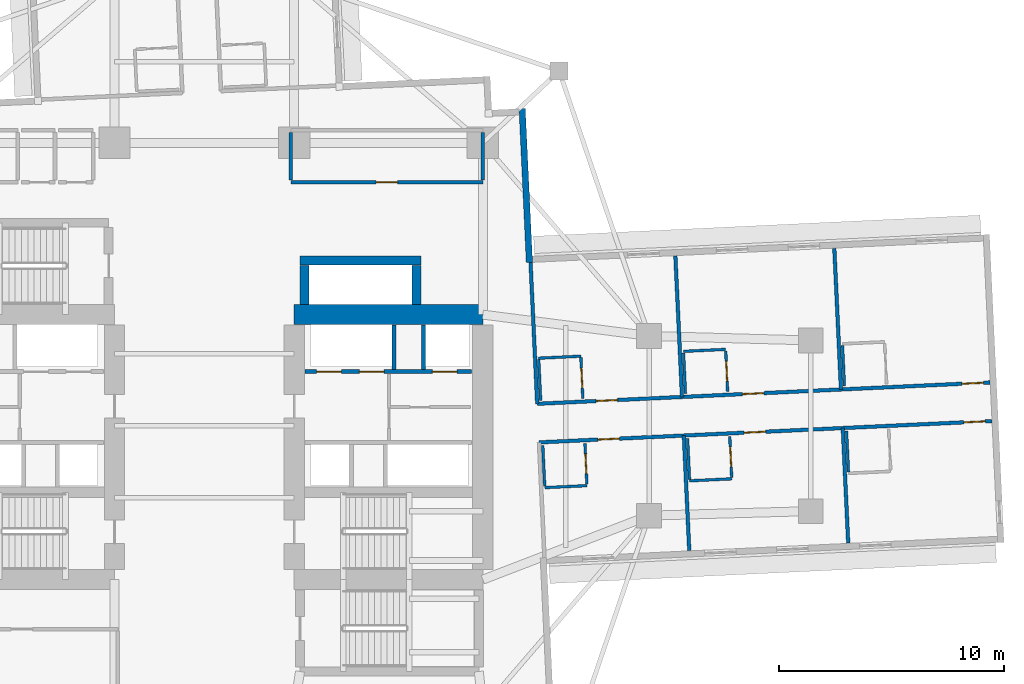
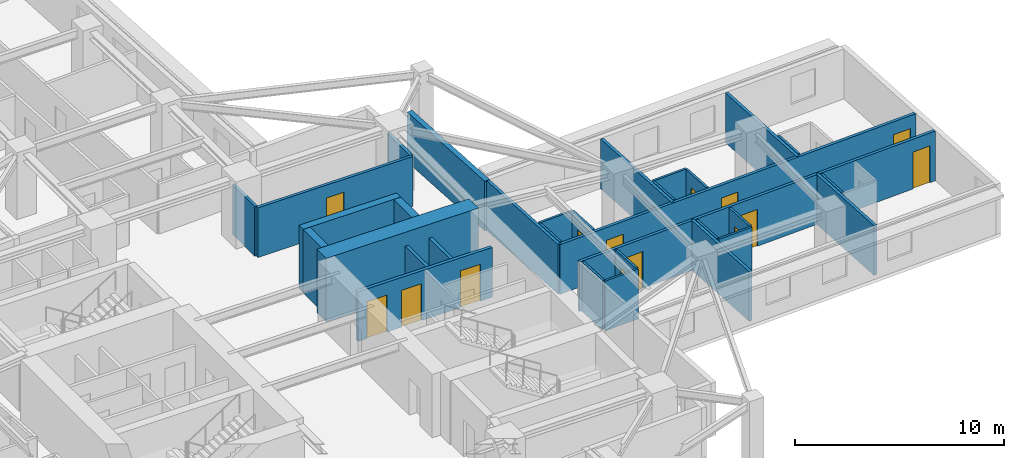
# One storey, part 7 of 14: 32 walls, 14 doors, 14 openings.
"""IFC4 building model written with IfcOpenShell, lengths in metres."""

from ifc_helpers import new_model, si_unit, direction, frame, frame_2d, origin, place, context, subcontext, project, spatial, rectangle, extrude, material, layer, layer_set, type_object, element, fill, save


model = new_model("IFC4")

# Units and contexts
model_context = context("Model", 3, precision=1e-05, world=origin(), true_north=direction((0.0, 1.0)))
body_context = subcontext(model_context, "Body", "Model", "MODEL_VIEW")
ifc_project = project(units=[si_unit("LENGTHUNIT", "METRE"), si_unit("AREAUNIT", "SQUARE_METRE"), si_unit("VOLUMEUNIT", "CUBIC_METRE"), si_unit("PLANEANGLEUNIT", "RADIAN"), si_unit("MASSUNIT", "GRAM", prefix="KILO")], contexts=[model_context])

# Site, building, storey
site_placement = place(None, origin())
site = spatial("IfcSite", under=ifc_project, at=site_placement, CompositionType="ELEMENT")
building_placement = place(site_placement, origin())
building = spatial("IfcBuilding", under=site, at=building_placement, Name="Qingluan Cross Belvedere", CompositionType="ELEMENT")
storey_placement = place(building_placement, frame((0.0, 0.0, 52.199951171875)))
storey = spatial("IfcBuildingStorey", under=building, at=storey_placement, Name="L13", CompositionType="ELEMENT", Elevation=52.199951171875)

# Walls
ifc_material_1 = material(Name="Concrete C50", Category="concrete")
ifc_layer_1 = layer(ifc_material_1, 0.449951171875, Name="CoreShearWall_450")
ifc_layer_set_1 = layer_set([ifc_layer_1], Name="Concrete C50")
wall_type_1 = type_object("IfcWallType", Name="CoreShearWall_450", PredefinedType="SHEAR", material=ifc_layer_set_1)
wall_1_placement = place(storey_placement, frame((4.449951171875, 5.405029296875, 0.0), z_axis=(0.0, 0.0, 1.0), x_axis=(0.0, 1.0, 0.0)))
element("IfcWall", 1, at=wall_1_placement, inside=storey, type_object=wall_type_1, Name="Express shuttle core wall L13-W", PredefinedType="SHEAR", context=body_context, shape_type="SweptSolid", body=[
    extrude(rectangle(XDim=1.73486328125, YDim=0.39990234375, at=frame_2d((0.867431640625, 0.0))), origin(), (0.0, 0.0, 1.0), 3.699951171875),
])
wall_2_placement = place(storey_placement, frame((4.25, 7.35009765625, 0.0), z_axis=(0.0, 0.0, 1.0), x_axis=(1.0, 0.0, 0.0)))
element("IfcWall", 2, at=wall_2_placement, inside=storey, type_object=wall_type_1, Name="Express shuttle core wall L13-N", PredefinedType="SHEAR", context=body_context, shape_type="SweptSolid", body=[
    extrude(rectangle(XDim=5.39990234375, YDim=0.39990234375, at=frame_2d((2.699951171875, 0.0))), origin(), (0.0, 0.0, 1.0), 3.699951171875),
])
wall_3_placement = place(storey_placement, frame((9.449951171875, 5.405029296875, 0.0), z_axis=(0.0, 0.0, 1.0), x_axis=(0.0, 1.0, 0.0)))
element("IfcWall", 3, at=wall_3_placement, inside=storey, type_object=wall_type_1, Name="Express shuttle core wall L13-E", PredefinedType="SHEAR", context=body_context, shape_type="SweptSolid", body=[
    extrude(rectangle(XDim=1.73486328125, YDim=0.39990234375, at=frame_2d((0.867431640625, 0.0))), origin(), (0.0, 0.0, 1.0), 3.699951171875),
])
ifc_material_2 = material(Name="Concrete C70", Category="concrete")
ifc_layer_2 = layer(ifc_material_2, 0.89990234375, Name="CoreShearWall_900")
ifc_layer_set_2 = layer_set([ifc_layer_2], Name="Concrete C70")
wall_type_2 = type_object("IfcWallType", Name="CoreShearWall_900", PredefinedType="SHEAR", material=ifc_layer_set_2)
wall_4_placement = place(storey_placement, frame((4.0, 4.949951171875, 0.0), z_axis=(0.0, 0.0, 1.0), x_axis=(1.0, 0.0, 0.0)))
element("IfcWall", 4, at=wall_4_placement, inside=storey, type_object=wall_type_2, Name="Split core E shear wall L13-N", PredefinedType="SHEAR", context=body_context, shape_type="SweptSolid", body=[
    extrude(rectangle(XDim=8.39990234375, YDim=0.89990234375, at=frame_2d((4.199951171875, 0.0))), origin(), (0.0, 0.0, 1.0), 3.699951171875),
])

# Wall, opening, door
ifc_material_3 = material(Name="Gypsum plasterboard on steel stud acoustic partition", Category="steel")
ifc_layer_3 = layer(ifc_material_3, 0.159912109375, Name="CorridorPartition_160")
ifc_layer_set_3 = layer_set([ifc_layer_3], Name="Gypsum plasterboard on steel stud acoustic partition")
wall_type_3 = type_object("IfcWallType", Name="CorridorPartition_160", PredefinedType="PARTITIONING", material=ifc_layer_set_3)
wall_5_placement = place(storey_placement, frame((3.85009765625, 10.85009765625, 0.0), z_axis=(0.0, 0.0, 1.0), x_axis=(1.0, 0.0, 0.0)))
wall_5 = element("IfcWall", 5, at=wall_5_placement, inside=storey, type_object=wall_type_3, Name="Partition L13:q_ne:S", PredefinedType="PARTITIONING", context=body_context, shape_type="SweptSolid", body=[
    extrude(rectangle(XDim=8.5498046875, YDim=0.159912109375, at=frame_2d((4.27490234375, 0.0))), origin(), (0.0, 0.0, 1.0), 2.900146484375),
])
opening_1_placement = place(wall_5_placement, frame((3.794921875, 0.0, 0.0)))
opening_1 = element("IfcOpeningElement", 6, at=opening_1_placement, cuts=wall_5, Name="Opening GD-10", PredefinedType="OPENING", context=body_context, shape_type="SweptSolid", body=[
    extrude(rectangle(XDim=0.9599609375, YDim=2.14990234375, at=frame_2d((0.47998046875, 1.074951171875))), frame((0.0, 0.08984375, 0.0), z_axis=(0.0, -1.0, 0.0), x_axis=(1.0, 0.0, 0.0)), (0.0, 0.0, 1.0), 0.179931640625),
])
ifc_material_4 = material(Name="Timber oak fire-rated acoustic guestroom door", Category="wood")
door_type_1 = type_object("IfcDoorType", Name="GuestEntryDoor_FD60", OperationType="NOTDEFINED", PredefinedType="DOOR", material=ifc_material_4)
door_1_placement = place(opening_1_placement, origin())
door_1 = element("IfcDoor", 7, at=door_1_placement, inside=storey, type_object=door_type_1, Name="Wellness yoga studio L13 door", OperationType="SINGLE_SWING_LEFT", OverallHeight=2.14990234375, OverallWidth=0.9599609375, PredefinedType="DOOR", context=body_context, shape_type="SweptSolid", body=[
    extrude(rectangle(XDim=0.9599609375, YDim=2.14990234375, at=frame_2d((0.47998046875, 1.074951171875))), frame((0.0, 0.02490234375, 0.0), z_axis=(0.0, -1.0, 0.0), x_axis=(1.0, 0.0, 0.0)), (0.0, 0.0, 1.0), 0.050048828125),
])
fill(opening_1, door_1)

# Walls
for number, where, z_axis, x_axis, name in (
    (8, (3.85009765625, 10.93505859375, 0.0), (0.0, 0.0, 1.0), (0.0, 1.0, 0.0), "Partition L13:q_ne:W"),
    (9, (12.39990234375, 10.93505859375, 0.0), (0.0, 0.0, 1.0), (0.0, 1.0, 0.0), "Partition L13:q_ne:E"),
):
    element("IfcWall", number, at=place(storey_placement, frame(where, z_axis=z_axis, x_axis=x_axis)), inside=storey, type_object=wall_type_3, Name=name, PredefinedType="PARTITIONING", context=body_context, shape_type="SweptSolid", body=[
        extrude(rectangle(XDim=2.1298828125, YDim=0.159912109375, at=frame_2d((1.06494140625, 0.0))), origin(), (0.0, 0.0, 1.0), 2.900146484375),
    ])

# Wall, openings, doors
wall_6_placement = place(storey_placement, frame((14.8203125, 0.979248046875, 0.0), z_axis=(0.0, 0.0, 1.0), x_axis=(0.998889926753, 0.047105352469, 0.0)))
wall_6 = element("IfcWall", 10, at=wall_6_placement, inside=storey, type_object=wall_type_3, Name="Partition L13:E:c0", PredefinedType="PARTITIONING", context=body_context, shape_type="SweptSolid", body=[
    extrude(rectangle(XDim=20.18212890625, YDim=0.159912109375, at=frame_2d((10.091064453125, 0.0))), origin(), (0.0, 0.0, 1.0), 2.900146484375),
])
opening_2_placement = place(wall_6_placement, frame((2.6259765625, 0.0, 0.0)))
opening_2 = element("IfcOpeningElement", 11, at=opening_2_placement, cuts=wall_6, Name="Opening GD-10", PredefinedType="OPENING", context=body_context, shape_type="SweptSolid", body=[
    extrude(rectangle(XDim=0.9599609375, YDim=2.14990234375, at=frame_2d((0.47998046875, 1.074951171875))), frame((0.0, 0.08984375, 0.0), z_axis=(0.0, -1.0, 0.0), x_axis=(1.0, 0.0, 0.0)), (0.0, 0.0, 1.0), 0.179931640625),
])
opening_3_placement = place(wall_6_placement, frame((9.14306640625, 0.0, 0.0)))
opening_3 = element("IfcOpeningElement", 12, at=opening_3_placement, cuts=wall_6, Name="Opening GD-10", PredefinedType="OPENING", context=body_context, shape_type="SweptSolid", body=[
    extrude(rectangle(XDim=0.9599609375, YDim=2.14990234375, at=frame_2d((0.47998046875, 1.074951171875))), frame((0.0, 0.08984375, 0.0), z_axis=(0.0, -1.0, 0.0), x_axis=(1.0, 0.0, 0.0)), (0.0, 0.0, 1.0), 0.179931640625),
])
opening_4_placement = place(wall_6_placement, frame((18.929931640625, 0.0, 0.0)))
opening_4 = element("IfcOpeningElement", 13, at=opening_4_placement, cuts=wall_6, Name="Opening GD-10", PredefinedType="OPENING", context=body_context, shape_type="SweptSolid", body=[
    extrude(rectangle(XDim=0.9599609375, YDim=2.14990234375, at=frame_2d((0.47998046875, 1.074951171875))), frame((0.0, 0.08984375, 0.0), z_axis=(0.0, -1.0, 0.0), x_axis=(1.0, 0.0, 0.0)), (0.0, 0.0, 1.0), 0.179931640625),
])
door_2_placement = place(opening_2_placement, origin())
door_2 = element("IfcDoor", 14, at=door_2_placement, inside=storey, type_object=door_type_1, Name="Guest entry fire door 1301", OperationType="SINGLE_SWING_LEFT", OverallHeight=2.14990234375, OverallWidth=0.9599609375, PredefinedType="DOOR", context=body_context, shape_type="SweptSolid", body=[
    extrude(rectangle(XDim=0.9599609375, YDim=2.14990234375, at=frame_2d((0.47998046875, 1.074951171875))), frame((0.0, 0.02490234375, 0.0), z_axis=(0.0, -1.0, 0.0), x_axis=(1.0, 0.0, 0.0)), (0.0, 0.0, 1.0), 0.050048828125),
])
fill(opening_2, door_2)
door_3_placement = place(opening_3_placement, origin())
door_3 = element("IfcDoor", 15, at=door_3_placement, inside=storey, type_object=door_type_1, Name="Guest entry fire door 1302", OperationType="SINGLE_SWING_LEFT", OverallHeight=2.14990234375, OverallWidth=0.9599609375, PredefinedType="DOOR", context=body_context, shape_type="SweptSolid", body=[
    extrude(rectangle(XDim=0.9599609375, YDim=2.14990234375, at=frame_2d((0.47998046875, 1.074951171875))), frame((0.0, 0.02490234375, 0.0), z_axis=(0.0, -1.0, 0.0), x_axis=(1.0, 0.0, 0.0)), (0.0, 0.0, 1.0), 0.050048828125),
])
fill(opening_3, door_3)
door_4_placement = place(opening_4_placement, origin())
door_4 = element("IfcDoor", 16, at=door_4_placement, inside=storey, type_object=door_type_1, Name="Guest entry fire door 1303", OperationType="SINGLE_SWING_LEFT", OverallHeight=2.14990234375, OverallWidth=0.9599609375, PredefinedType="DOOR", context=body_context, shape_type="SweptSolid", body=[
    extrude(rectangle(XDim=0.9599609375, YDim=2.14990234375, at=frame_2d((0.47998046875, 1.074951171875))), frame((0.0, 0.02490234375, 0.0), z_axis=(0.0, -1.0, 0.0), x_axis=(1.0, 0.0, 0.0)), (0.0, 0.0, 1.0), 0.050048828125),
])
fill(opening_4, door_4)

# Walls
for number, where, z_axis, x_axis, name in (
    (17, (14.8203125, 0.979248046875, 0.0), (0.0, 0.0, 1.0), (-0.047104274115, 0.998889977605, 0.0), "Partition L13:E:s0"),
    (18, (21.268310546875, 1.283203125, 0.0), (0.0, 0.0, 1.0), (-0.047142988802, 0.9988881512, 0.0), "Partition L13:E:d0_0"),
    (19, (28.34521484375, 1.616943359375, 0.0), (0.0, 0.0, 1.0), (-0.047104274115, 0.998889977605, 0.0), "Partition L13:E:d0_1"),
):
    element("IfcWall", number, at=place(storey_placement, frame(where, z_axis=z_axis, x_axis=x_axis)), inside=storey, type_object=wall_type_3, Name=name, PredefinedType="PARTITIONING", context=body_context, shape_type="SweptSolid", body=[
        extrude(rectangle(XDim=6.292236328125, YDim=0.159912109375, at=frame_2d((3.14599609375, 0.0))), origin(), (0.0, 0.0, 1.0), 2.900146484375),
    ])

# Wall, openings, doors
wall_7_placement = place(storey_placement, frame((14.9013671875, -0.739013671875, 0.0), z_axis=(0.0, 0.0, 1.0), x_axis=(0.998889330628, 0.047117991871, 0.0)))
wall_7 = element("IfcWall", 20, at=wall_7_placement, inside=storey, type_object=wall_type_3, Name="Partition L13:E:c1", PredefinedType="PARTITIONING", context=body_context, shape_type="SweptSolid", body=[
    extrude(rectangle(XDim=20.181884765625, YDim=0.159912109375, at=frame_2d((10.0908203125, 0.0))), origin(), (0.0, 0.0, 1.0), 2.900146484375),
])
opening_5_placement = place(wall_7_placement, frame((2.6259765625, 0.0, 0.0)))
opening_5 = element("IfcOpeningElement", 21, at=opening_5_placement, cuts=wall_7, Name="Opening GD-10", PredefinedType="OPENING", context=body_context, shape_type="SweptSolid", body=[
    extrude(rectangle(XDim=0.9599609375, YDim=2.14990234375, at=frame_2d((0.47998046875, 1.074951171875))), frame((0.0, 0.08984375, 0.0), z_axis=(0.0, -1.0, 0.0), x_axis=(1.0, 0.0, 0.0)), (0.0, 0.0, 1.0), 0.179931640625),
])
opening_6_placement = place(wall_7_placement, frame((9.14306640625, 0.0, 0.0)))
opening_6 = element("IfcOpeningElement", 22, at=opening_6_placement, cuts=wall_7, Name="Opening GD-10", PredefinedType="OPENING", context=body_context, shape_type="SweptSolid", body=[
    extrude(rectangle(XDim=0.9599609375, YDim=2.14990234375, at=frame_2d((0.47998046875, 1.074951171875))), frame((0.0, 0.08984375, 0.0), z_axis=(0.0, -1.0, 0.0), x_axis=(1.0, 0.0, 0.0)), (0.0, 0.0, 1.0), 0.179931640625),
])
opening_7_placement = place(wall_7_placement, frame((18.929931640625, 0.0, 0.0)))
opening_7 = element("IfcOpeningElement", 23, at=opening_7_placement, cuts=wall_7, Name="Opening GD-10", PredefinedType="OPENING", context=body_context, shape_type="SweptSolid", body=[
    extrude(rectangle(XDim=0.9599609375, YDim=2.14990234375, at=frame_2d((0.47998046875, 1.074951171875))), frame((0.0, 0.08984375, 0.0), z_axis=(0.0, -1.0, 0.0), x_axis=(1.0, 0.0, 0.0)), (0.0, 0.0, 1.0), 0.179931640625),
])
door_5_placement = place(opening_5_placement, origin())
door_5 = element("IfcDoor", 24, at=door_5_placement, inside=storey, type_object=door_type_1, Name="Guest entry fire door 1304", OperationType="SINGLE_SWING_LEFT", OverallHeight=2.14990234375, OverallWidth=0.9599609375, PredefinedType="DOOR", context=body_context, shape_type="SweptSolid", body=[
    extrude(rectangle(XDim=0.9599609375, YDim=2.14990234375, at=frame_2d((0.47998046875, 1.074951171875))), frame((0.0, 0.02490234375, 0.0), z_axis=(0.0, -1.0, 0.0), x_axis=(1.0, 0.0, 0.0)), (0.0, 0.0, 1.0), 0.050048828125),
])
fill(opening_5, door_5)
door_6_placement = place(opening_6_placement, origin())
door_6 = element("IfcDoor", 25, at=door_6_placement, inside=storey, type_object=door_type_1, Name="Guest entry fire door 1305", OperationType="SINGLE_SWING_LEFT", OverallHeight=2.14990234375, OverallWidth=0.9599609375, PredefinedType="DOOR", context=body_context, shape_type="SweptSolid", body=[
    extrude(rectangle(XDim=0.9599609375, YDim=2.14990234375, at=frame_2d((0.47998046875, 1.074951171875))), frame((0.0, 0.02490234375, 0.0), z_axis=(0.0, -1.0, 0.0), x_axis=(1.0, 0.0, 0.0)), (0.0, 0.0, 1.0), 0.050048828125),
])
fill(opening_6, door_6)
door_7_placement = place(opening_7_placement, origin())
door_7 = element("IfcDoor", 26, at=door_7_placement, inside=storey, type_object=door_type_1, Name="Guest entry fire door 1306", OperationType="SINGLE_SWING_LEFT", OverallHeight=2.14990234375, OverallWidth=0.9599609375, PredefinedType="DOOR", context=body_context, shape_type="SweptSolid", body=[
    extrude(rectangle(XDim=0.9599609375, YDim=2.14990234375, at=frame_2d((0.47998046875, 1.074951171875))), frame((0.0, 0.02490234375, 0.0), z_axis=(0.0, -1.0, 0.0), x_axis=(1.0, 0.0, 0.0)), (0.0, 0.0, 1.0), 0.050048828125),
])
fill(opening_7, door_7)

# Walls
for number, where, z_axis, x_axis, name in (
    (27, (21.34912109375, -0.434814453125, 0.0), (0.0, 0.0, 1.0), (0.047097271264, -0.998890307811, 0.0), "Partition L13:E:d1_0"),
    (28, (28.42626953125, -0.10107421875, 0.0), (0.0, 0.0, 1.0), (0.047097271264, -0.998890307811, 0.0), "Partition L13:E:d1_1"),
):
    element("IfcWall", number, at=place(storey_placement, frame(where, z_axis=z_axis, x_axis=x_axis)), inside=storey, type_object=wall_type_3, Name=name, PredefinedType="PARTITIONING", context=body_context, shape_type="SweptSolid", body=[
        extrude(rectangle(XDim=5.1318359375, YDim=0.159912109375, at=frame_2d((2.56591796875, 0.0))), origin(), (0.0, 0.0, 1.0), 2.900146484375),
    ])

# Wall, opening, door
ifc_material_5 = material(Name="Moisture-resistant gypsum board lining")
ifc_layer_4 = layer(ifc_material_5, 0.1201171875, Name="EnsuiteWetPartition_120")
ifc_layer_set_4 = layer_set([ifc_layer_4], Name="Moisture-resistant gypsum board lining")
wall_type_4 = type_object("IfcWallType", Name="EnsuiteWetPartition_120", PredefinedType="PARTITIONING", material=ifc_layer_set_4)
wall_8_placement = place(storey_placement, frame((16.8515625, 1.215087890625, 0.0), z_axis=(0.0, 0.0, 1.0), x_axis=(-0.047214641863, 0.998884766924, 0.0)))
wall_8 = element("IfcWall", 29, at=wall_8_placement, inside=storey, type_object=wall_type_4, Name="Partition L13:E:bs0_0", PredefinedType="PARTITIONING", context=body_context, shape_type="SweptSolid", body=[
    extrude(rectangle(XDim=1.820068359375, YDim=0.1201171875, at=frame_2d((0.91015625, 0.0))), origin(), (0.0, 0.0, 1.0), 2.900146484375),
])
opening_8_placement = place(wall_8_placement, frame((0.469970703125, 0.0, 0.0)))
opening_8 = element("IfcOpeningElement", 30, at=opening_8_placement, cuts=wall_8, Name="Opening BD-09", PredefinedType="OPENING", context=body_context, shape_type="SweptSolid", body=[
    extrude(rectangle(XDim=0.8798828125, YDim=2.10009765625, at=frame_2d((0.43994140625, 1.050048828125))), frame((0.0, 0.070068359375, 0.0), z_axis=(0.0, -1.0, 0.0), x_axis=(1.0, 0.0, 0.0)), (0.0, 0.0, 1.0), 0.14013671875),
])
ifc_material_6 = material(Name="Moisture-sealed timber en-suite door", Category="wood")
door_type_2 = type_object("IfcDoorType", Name="BathroomDoor_880", OperationType="NOTDEFINED", PredefinedType="DOOR", material=ifc_material_6)
door_8_placement = place(opening_8_placement, origin())
door_8 = element("IfcDoor", 31, at=door_8_placement, inside=storey, type_object=door_type_2, Name="Bathroom door 1301", OperationType="SINGLE_SWING_RIGHT", OverallHeight=2.10009765625, OverallWidth=0.8798828125, PredefinedType="DOOR", context=body_context, shape_type="SweptSolid", body=[
    extrude(rectangle(XDim=0.8798828125, YDim=2.10009765625, at=frame_2d((0.43994140625, 1.050048828125))), frame((0.0, 0.02490234375, 0.0), z_axis=(0.0, -1.0, 0.0), x_axis=(1.0, 0.0, 0.0)), (0.0, 0.0, 1.0), 0.050048828125),
])
fill(opening_8, door_8)

# Walls
wall_9_placement = place(storey_placement, frame((14.9736328125, 1.126708984375, 0.0), z_axis=(0.0, 0.0, 1.0), x_axis=(-0.047220968666, 0.998884467853, 0.0)))
element("IfcWall", 32, at=wall_9_placement, inside=storey, type_object=wall_type_4, Name="Partition L13:E:bw0_0", PredefinedType="PARTITIONING", context=body_context, shape_type="SweptSolid", body=[
    extrude(rectangle(XDim=1.81982421875, YDim=0.1201171875, at=frame_2d((0.909912109375, 0.0))), origin(), (0.0, 0.0, 1.0), 2.900146484375),
])
wall_10_placement = place(storey_placement, frame((14.884765625, 3.009521484375, 0.0), z_axis=(0.0, 0.0, 1.0), x_axis=(0.998888319371, 0.047139425368, 0.0)))
element("IfcWall", 33, at=wall_10_placement, inside=storey, type_object=wall_type_4, Name="Partition L13:E:bn0_0", PredefinedType="PARTITIONING", context=body_context, shape_type="SweptSolid", body=[
    extrude(rectangle(XDim=1.880126953125, YDim=0.1201171875, at=frame_2d((0.93994140625, 0.0))), origin(), (0.0, 0.0, 1.0), 2.900146484375),
])

# Wall, opening, door
wall_11_placement = place(storey_placement, frame((23.29931640625, 1.519287109375, 0.0), z_axis=(0.0, 0.0, 1.0), x_axis=(-0.047087116047, 0.998890786574, 0.0)))
wall_11 = element("IfcWall", 34, at=wall_11_placement, inside=storey, type_object=wall_type_4, Name="Partition L13:E:bs0_1", PredefinedType="PARTITIONING", context=body_context, shape_type="SweptSolid", body=[
    extrude(rectangle(XDim=1.81982421875, YDim=0.1201171875, at=frame_2d((0.909912109375, 0.0))), origin(), (0.0, 0.0, 1.0), 2.900146484375),
])
opening_9_placement = place(wall_11_placement, frame((0.469970703125, 0.0, 0.0)))
opening_9 = element("IfcOpeningElement", 35, at=opening_9_placement, cuts=wall_11, Name="Opening BD-09", PredefinedType="OPENING", context=body_context, shape_type="SweptSolid", body=[
    extrude(rectangle(XDim=0.8798828125, YDim=2.10009765625, at=frame_2d((0.43994140625, 1.050048828125))), frame((0.0, 0.070068359375, 0.0), z_axis=(0.0, -1.0, 0.0), x_axis=(1.0, 0.0, 0.0)), (0.0, 0.0, 1.0), 0.14013671875),
])
door_9_placement = place(opening_9_placement, origin())
door_9 = element("IfcDoor", 36, at=door_9_placement, inside=storey, type_object=door_type_2, Name="Bathroom door 1302", OperationType="SINGLE_SWING_RIGHT", OverallHeight=2.10009765625, OverallWidth=0.8798828125, PredefinedType="DOOR", context=body_context, shape_type="SweptSolid", body=[
    extrude(rectangle(XDim=0.8798828125, YDim=2.10009765625, at=frame_2d((0.43994140625, 1.050048828125))), frame((0.0, 0.02490234375, 0.0), z_axis=(0.0, -1.0, 0.0), x_axis=(1.0, 0.0, 0.0)), (0.0, 0.0, 1.0), 0.050048828125),
])
fill(opening_9, door_9)

# Walls
wall_12_placement = place(storey_placement, frame((21.42138671875, 1.4306640625, 0.0), z_axis=(0.0, 0.0, 1.0), x_axis=(-0.047080807099, 0.998891083954, 0.0)))
element("IfcWall", 37, at=wall_12_placement, inside=storey, type_object=wall_type_4, Name="Partition L13:E:bw0_1", PredefinedType="PARTITIONING", context=body_context, shape_type="SweptSolid", body=[
    extrude(rectangle(XDim=1.820068359375, YDim=0.1201171875, at=frame_2d((0.91015625, 0.0))), origin(), (0.0, 0.0, 1.0), 2.900146484375),
])
wall_13_placement = place(storey_placement, frame((21.33251953125, 3.313720703125, 0.0), z_axis=(0.0, 0.0, 1.0), x_axis=(0.998894425757, 0.04700985207, 0.0)))
element("IfcWall", 38, at=wall_13_placement, inside=storey, type_object=wall_type_4, Name="Partition L13:E:bn0_1", PredefinedType="PARTITIONING", context=body_context, shape_type="SweptSolid", body=[
    extrude(rectangle(XDim=1.880126953125, YDim=0.1201171875, at=frame_2d((0.93994140625, 0.0))), origin(), (0.0, 0.0, 1.0), 2.900146484375),
])
wall_14_placement = place(storey_placement, frame((28.49853515625, 1.764404296875, 0.0), z_axis=(0.0, 0.0, 1.0), x_axis=(-0.047080807099, 0.998891083954, 0.0)))
element("IfcWall", 39, at=wall_14_placement, inside=storey, type_object=wall_type_4, Name="Partition L13:E:bw0_2", PredefinedType="PARTITIONING", context=body_context, shape_type="SweptSolid", body=[
    extrude(rectangle(XDim=1.820068359375, YDim=0.1201171875, at=frame_2d((0.91015625, 0.0))), origin(), (0.0, 0.0, 1.0), 2.900146484375),
])

# Wall, opening, door
wall_15_placement = place(storey_placement, frame((17.031494140625, -2.6005859375, 0.0), z_axis=(0.0, 0.0, 1.0), x_axis=(-0.047087116047, 0.998890786574, 0.0)))
wall_15 = element("IfcWall", 40, at=wall_15_placement, inside=storey, type_object=wall_type_4, Name="Partition L13:E:bs1_0", PredefinedType="PARTITIONING", context=body_context, shape_type="SweptSolid", body=[
    extrude(rectangle(XDim=1.81982421875, YDim=0.1201171875, at=frame_2d((0.909912109375, 0.0))), origin(), (0.0, 0.0, 1.0), 2.900146484375),
])
opening_10_placement = place(wall_15_placement, frame((0.469970703125, 0.0, 0.0)))
opening_10 = element("IfcOpeningElement", 41, at=opening_10_placement, cuts=wall_15, Name="Opening BD-09", PredefinedType="OPENING", context=body_context, shape_type="SweptSolid", body=[
    extrude(rectangle(XDim=0.8798828125, YDim=2.10009765625, at=frame_2d((0.43994140625, 1.050048828125))), frame((0.0, 0.070068359375, 0.0), z_axis=(0.0, -1.0, 0.0), x_axis=(1.0, 0.0, 0.0)), (0.0, 0.0, 1.0), 0.14013671875),
])
door_10_placement = place(opening_10_placement, origin())
door_10 = element("IfcDoor", 42, at=door_10_placement, inside=storey, type_object=door_type_2, Name="Bathroom door 1304", OperationType="SINGLE_SWING_RIGHT", OverallHeight=2.10009765625, OverallWidth=0.8798828125, PredefinedType="DOOR", context=body_context, shape_type="SweptSolid", body=[
    extrude(rectangle(XDim=0.8798828125, YDim=2.10009765625, at=frame_2d((0.43994140625, 1.050048828125))), frame((0.0, 0.02490234375, 0.0), z_axis=(0.0, -1.0, 0.0), x_axis=(1.0, 0.0, 0.0)), (0.0, 0.0, 1.0), 0.050048828125),
])
fill(opening_10, door_10)

# Walls
wall_16_placement = place(storey_placement, frame((15.153564453125, -2.689208984375, 0.0), z_axis=(0.0, 0.0, 1.0), x_axis=(-0.047080807099, 0.998891083954, 0.0)))
element("IfcWall", 43, at=wall_16_placement, inside=storey, type_object=wall_type_4, Name="Partition L13:E:bw1_0", PredefinedType="PARTITIONING", context=body_context, shape_type="SweptSolid", body=[
    extrude(rectangle(XDim=1.820068359375, YDim=0.1201171875, at=frame_2d((0.91015625, 0.0))), origin(), (0.0, 0.0, 1.0), 2.900146484375),
])
wall_17_placement = place(storey_placement, frame((15.156494140625, -2.754150390625, 0.0), z_axis=(0.0, 0.0, 1.0), x_axis=(0.998888319371, 0.047139425368, 0.0)))
element("IfcWall", 44, at=wall_17_placement, inside=storey, type_object=wall_type_4, Name="Partition L13:E:bc1_0", PredefinedType="PARTITIONING", context=body_context, shape_type="SweptSolid", body=[
    extrude(rectangle(XDim=1.880126953125, YDim=0.1201171875, at=frame_2d((0.93994140625, 0.0))), origin(), (0.0, 0.0, 1.0), 2.900146484375),
])

# Wall, opening, door
wall_18_placement = place(storey_placement, frame((23.479248046875, -2.29638671875, 0.0), z_axis=(0.0, 0.0, 1.0), x_axis=(-0.047087116047, 0.998890786574, 0.0)))
wall_18 = element("IfcWall", 45, at=wall_18_placement, inside=storey, type_object=wall_type_4, Name="Partition L13:E:bs1_1", PredefinedType="PARTITIONING", context=body_context, shape_type="SweptSolid", body=[
    extrude(rectangle(XDim=1.81982421875, YDim=0.1201171875, at=frame_2d((0.909912109375, 0.0))), origin(), (0.0, 0.0, 1.0), 2.900146484375),
])
opening_11_placement = place(wall_18_placement, frame((0.469970703125, 0.0, 0.0)))
opening_11 = element("IfcOpeningElement", 46, at=opening_11_placement, cuts=wall_18, Name="Opening BD-09", PredefinedType="OPENING", context=body_context, shape_type="SweptSolid", body=[
    extrude(rectangle(XDim=0.8798828125, YDim=2.10009765625, at=frame_2d((0.43994140625, 1.050048828125))), frame((0.0, 0.070068359375, 0.0), z_axis=(0.0, -1.0, 0.0), x_axis=(1.0, 0.0, 0.0)), (0.0, 0.0, 1.0), 0.14013671875),
])
door_11_placement = place(opening_11_placement, origin())
door_11 = element("IfcDoor", 47, at=door_11_placement, inside=storey, type_object=door_type_2, Name="Bathroom door 1305", OperationType="SINGLE_SWING_RIGHT", OverallHeight=2.10009765625, OverallWidth=0.8798828125, PredefinedType="DOOR", context=body_context, shape_type="SweptSolid", body=[
    extrude(rectangle(XDim=0.8798828125, YDim=2.10009765625, at=frame_2d((0.43994140625, 1.050048828125))), frame((0.0, 0.02490234375, 0.0), z_axis=(0.0, -1.0, 0.0), x_axis=(1.0, 0.0, 0.0)), (0.0, 0.0, 1.0), 0.050048828125),
])
fill(opening_11, door_11)

# Walls
wall_19_placement = place(storey_placement, frame((21.601318359375, -2.385009765625, 0.0), z_axis=(0.0, 0.0, 1.0), x_axis=(-0.047087116047, 0.998890786574, 0.0)))
element("IfcWall", 48, at=wall_19_placement, inside=storey, type_object=wall_type_4, Name="Partition L13:E:bw1_1", PredefinedType="PARTITIONING", context=body_context, shape_type="SweptSolid", body=[
    extrude(rectangle(XDim=1.81982421875, YDim=0.1201171875, at=frame_2d((0.909912109375, 0.0))), origin(), (0.0, 0.0, 1.0), 2.900146484375),
])
wall_20_placement = place(storey_placement, frame((21.6044921875, -2.449951171875, 0.0), z_axis=(0.0, 0.0, 1.0), x_axis=(0.998894425757, 0.04700985207, 0.0)))
element("IfcWall", 49, at=wall_20_placement, inside=storey, type_object=wall_type_4, Name="Partition L13:E:bc1_1", PredefinedType="PARTITIONING", context=body_context, shape_type="SweptSolid", body=[
    extrude(rectangle(XDim=1.880126953125, YDim=0.1201171875, at=frame_2d((0.93994140625, 0.0))), origin(), (0.0, 0.0, 1.0), 2.900146484375),
])
wall_21_placement = place(storey_placement, frame((28.678466796875, -2.05126953125, 0.0), z_axis=(0.0, 0.0, 1.0), x_axis=(-0.047087116047, 0.998890786574, 0.0)))
element("IfcWall", 50, at=wall_21_placement, inside=storey, type_object=wall_type_4, Name="Partition L13:E:bw1_2", PredefinedType="PARTITIONING", context=body_context, shape_type="SweptSolid", body=[
    extrude(rectangle(XDim=1.81982421875, YDim=0.1201171875, at=frame_2d((0.909912109375, 0.0))), origin(), (0.0, 0.0, 1.0), 2.900146484375),
])
ifc_material_7 = material(Name="Precast concrete C45", Category="concrete")
ifc_layer_5 = layer(ifc_material_7, 0.280029296875, Name="PrecastFacadeWall_280")
ifc_layer_set_5 = layer_set([ifc_layer_5], Name="Precast concrete C45")
wall_type_5 = type_object("IfcWallType", Name="PrecastFacadeWall_280", PredefinedType="STANDARD", material=ifc_layer_set_5)
wall_22_placement = place(storey_placement, frame((14.4736328125, 7.27001953125, 0.0), z_axis=(0.0, 0.0, 1.0), x_axis=(-0.04712043756, 0.998889215261, 0.0)))
element("IfcWall", 51, at=wall_22_placement, inside=storey, type_object=wall_type_5, Name="Corner wall L13-NE1", PredefinedType="STANDARD", context=body_context, shape_type="SweptSolid", body=[
    extrude(rectangle(XDim=6.85986328125, YDim=0.280029296875, at=frame_2d((3.429931640625, 0.0))), origin(), (0.0, 0.0, 1.0), 2.91015625),
])

# Wall, openings, doors
ifc_material_8 = material(Name="Concrete C40", Category="concrete")
ifc_layer_6 = layer(ifc_material_8, 0.219970703125, Name="ShaftEnclosureWall_250")
ifc_layer_set_6 = layer_set([ifc_layer_6], Name="Concrete C40")
wall_type_6 = type_object("IfcWallType", Name="ShaftEnclosureWall_250", PredefinedType="SOLIDWALL", material=ifc_layer_set_6)
wall_23_placement = place(storey_placement, frame((4.47998046875, 2.409912109375, 0.0), z_axis=(0.0, 0.0, 1.0), x_axis=(1.0, 0.0, 0.0)))
wall_23 = element("IfcWall", 52, at=wall_23_placement, inside=storey, type_object=wall_type_6, Name="Core-E north hoistway wall L13", PredefinedType="SOLIDWALL", context=body_context, shape_type="SweptSolid", body=[
    extrude(rectangle(XDim=7.419921875, YDim=0.179931640625, at=frame_2d((3.7099609375, 0.0))), origin(), (0.0, 0.0, 1.0), 2.900146484375),
])
opening_12_placement = place(wall_23_placement, frame((5.669921875, 0.0, 0.0)))
opening_12 = element("IfcOpeningElement", 53, at=opening_12_placement, cuts=wall_23, Name="Opening LD-11", PredefinedType="OPENING", context=body_context, shape_type="SweptSolid", body=[
    extrude(rectangle(XDim=1.10009765625, YDim=2.14990234375, at=frame_2d((0.550048828125, 1.074951171875))), frame((0.0, 0.099853515625, 0.0), z_axis=(0.0, -1.0, 0.0), x_axis=(1.0, 0.0, 0.0)), (0.0, 0.0, 1.0), 0.199951171875),
])
opening_13_placement = place(wall_23_placement, frame((0.52001953125, 0.0, 0.0)))
opening_13 = element("IfcOpeningElement", 54, at=opening_13_placement, cuts=wall_23, Name="Opening LD-11", PredefinedType="OPENING", context=body_context, shape_type="SweptSolid", body=[
    extrude(rectangle(XDim=1.10009765625, YDim=2.14990234375, at=frame_2d((0.550048828125, 1.074951171875))), frame((0.0, 0.099853515625, 0.0), z_axis=(0.0, -1.0, 0.0), x_axis=(1.0, 0.0, 0.0)), (0.0, 0.0, 1.0), 0.199951171875),
])
opening_14_placement = place(wall_23_placement, frame((2.419921875, 0.0, 0.0)))
opening_14 = element("IfcOpeningElement", 55, at=opening_14_placement, cuts=wall_23, Name="Opening LD-11", PredefinedType="OPENING", context=body_context, shape_type="SweptSolid", body=[
    extrude(rectangle(XDim=1.10009765625, YDim=2.14990234375, at=frame_2d((0.550048828125, 1.074951171875))), frame((0.0, 0.099853515625, 0.0), z_axis=(0.0, -1.0, 0.0), x_axis=(1.0, 0.0, 0.0)), (0.0, 0.0, 1.0), 0.199951171875),
])
ifc_material_9 = material(Name="Brushed stainless steel centre-opening lift landing door", Category="steel")
door_type_3 = type_object("IfcDoorType", Name="LiftLandingSlidingDoor_1100", OperationType="DOUBLE_DOOR_SLIDING", PredefinedType="DOOR", material=ifc_material_9)
door_12_placement = place(opening_12_placement, origin())
door_12 = element("IfcDoor", 56, at=door_12_placement, inside=storey, type_object=door_type_3, Name="Lift landing sliding door FL2 L13", OperationType="DOUBLE_DOOR_SLIDING", OverallHeight=2.14990234375, OverallWidth=1.10009765625, PredefinedType="DOOR", context=body_context, shape_type="SweptSolid", body=[
    extrude(rectangle(XDim=1.10009765625, YDim=2.14990234375, at=frame_2d((0.550048828125, 1.074951171875))), frame((0.0, 0.02490234375, 0.0), z_axis=(0.0, -1.0, 0.0), x_axis=(1.0, 0.0, 0.0)), (0.0, 0.0, 1.0), 0.050048828125),
])
fill(opening_12, door_12)
door_13_placement = place(opening_13_placement, origin())
door_13 = element("IfcDoor", 57, at=door_13_placement, inside=storey, type_object=door_type_3, Name="Lift landing sliding door LP3 L13", OperationType="DOUBLE_DOOR_SLIDING", OverallHeight=2.14990234375, OverallWidth=1.10009765625, PredefinedType="DOOR", context=body_context, shape_type="SweptSolid", body=[
    extrude(rectangle(XDim=1.10009765625, YDim=2.14990234375, at=frame_2d((0.550048828125, 1.074951171875))), frame((0.0, 0.02490234375, 0.0), z_axis=(0.0, -1.0, 0.0), x_axis=(1.0, 0.0, 0.0)), (0.0, 0.0, 1.0), 0.050048828125),
])
fill(opening_13, door_13)
door_14_placement = place(opening_14_placement, origin())
door_14 = element("IfcDoor", 58, at=door_14_placement, inside=storey, type_object=door_type_3, Name="Lift landing sliding door LP4 L13", OperationType="DOUBLE_DOOR_SLIDING", OverallHeight=2.14990234375, OverallWidth=1.10009765625, PredefinedType="DOOR", context=body_context, shape_type="SweptSolid", body=[
    extrude(rectangle(XDim=1.10009765625, YDim=2.14990234375, at=frame_2d((0.550048828125, 1.074951171875))), frame((0.0, 0.02490234375, 0.0), z_axis=(0.0, -1.0, 0.0), x_axis=(1.0, 0.0, 0.0)), (0.0, 0.0, 1.0), 0.050048828125),
])
fill(opening_14, door_14)

# Walls
for number, where, z_axis, x_axis, name in (
    (59, (8.43994140625, 2.5, 0.0), (0.0, 0.0, 1.0), (0.0, 1.0, 0.0), "Hoistway enclosure divider LP4E L13"),
    (60, (9.760009765625, 2.5, 0.0), (0.0, 0.0, 1.0), (0.0, 1.0, 0.0), "Hoistway enclosure divider FL2W L13"),
):
    element("IfcWall", number, at=place(storey_placement, frame(where, z_axis=z_axis, x_axis=x_axis)), inside=storey, type_object=wall_type_6, Name=name, PredefinedType="SOLIDWALL", context=body_context, shape_type="SweptSolid", body=[
        extrude(rectangle(XDim=1.989990234375, YDim=0.179931640625, at=frame_2d((0.9951171875, 0.0))), origin(), (0.0, 0.0, 1.0), 2.900146484375),
    ])

save(model, "model.ifc")
